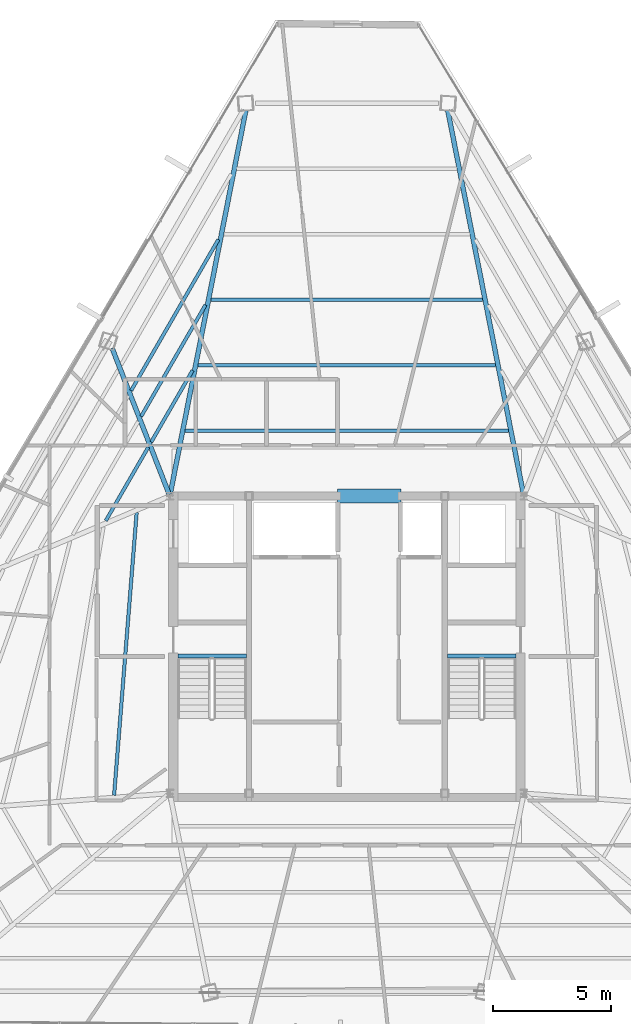
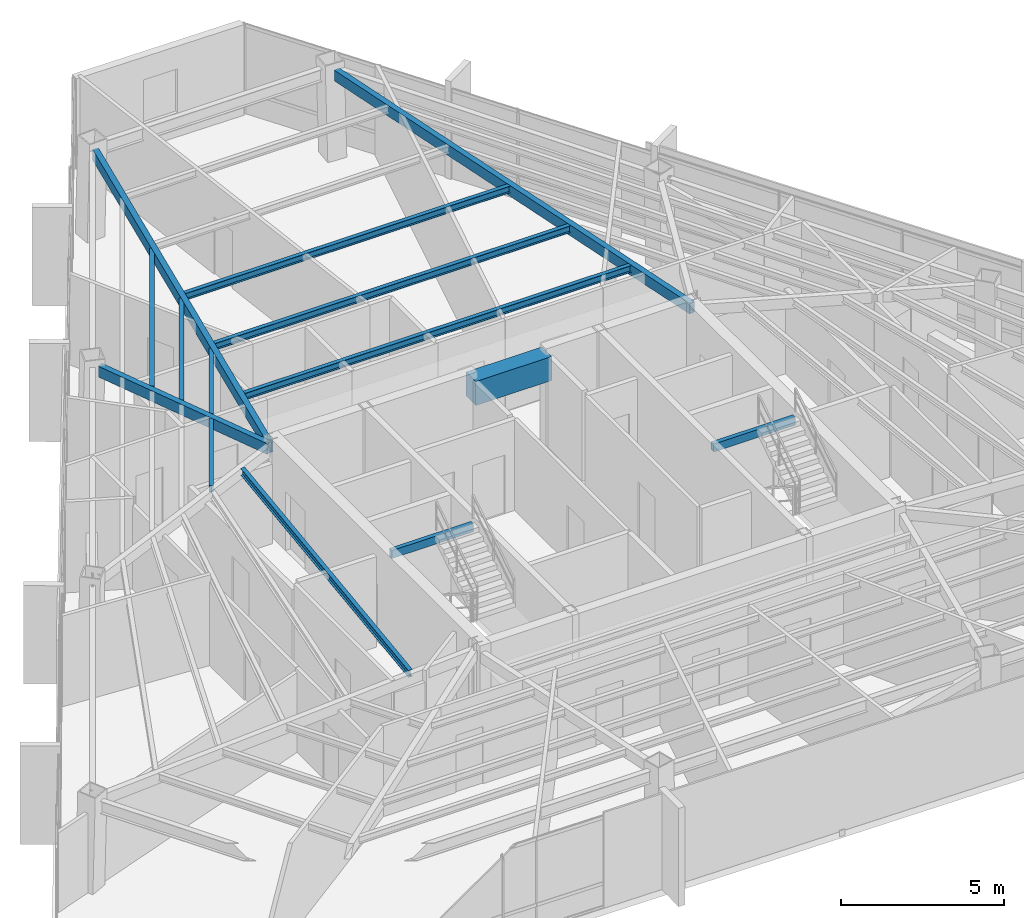
# One storey, part 20 of 46: 14 beams.
"""IFC4 building model written with IfcOpenShell, lengths in metres."""

from ifc_helpers import new_model, si_unit, direction, frame, origin, origin_2d, place, context, subcontext, project, spatial, rectangle, hollow_rectangle, i_section, extrude, source, transform, mapped, material, material_profile, profile_set, type_object, type_shapes, element, save


model = new_model("IFC4")

# Units and contexts
model_context = context("Model", 3, precision=1e-05, world=origin(), true_north=direction((0.0, 1.0)))
body_context = subcontext(model_context, "Body", "Model", "MODEL_VIEW")
ifc_project = project(units=[si_unit("LENGTHUNIT", "METRE"), si_unit("AREAUNIT", "SQUARE_METRE"), si_unit("VOLUMEUNIT", "CUBIC_METRE"), si_unit("PLANEANGLEUNIT", "RADIAN"), si_unit("MASSUNIT", "GRAM", prefix="KILO")], contexts=[model_context])

# Site, building, storey
site_placement = place(None, origin())
site = spatial("IfcSite", under=ifc_project, at=site_placement, CompositionType="ELEMENT")
building_placement = place(site_placement, origin())
building = spatial("IfcBuilding", under=site, at=building_placement, Name="Caelisora Broadcast Tower", CompositionType="ELEMENT")
storey_placement = place(building_placement, frame((0.0, 0.0, 237.14990234375)))
storey = spatial("IfcBuildingStorey", under=building, at=storey_placement, Name="L62", CompositionType="ELEMENT", Elevation=237.14990234375)

# Beams
ifc_material_1 = material(Name="Steel Grade 350 (AS/NZS 1163 C350L0)", Category="steel")
ifc_material_profile_1 = material_profile(ifc_material_1, hollow_rectangle(XDim=0.14990234375, YDim=0.300048828125, WallThickness=0.010009765625, at=origin_2d()), Name="Steel Grade 350 (AS/NZS 1163 C350L0)")
ifc_profile_set_1 = profile_set([ifc_material_profile_1], Name="Steel Grade 350 (AS/NZS 1163 C350L0)")
beam_type_1 = type_object("IfcBeamType", Name="SB05", PredefinedType="JOIST", material=ifc_profile_set_1)
shared_shape_1 = source(origin(), body_context, "Body", "SweptSolid", [
    extrude(hollow_rectangle(XDim=0.14990234375, YDim=0.300048828125, WallThickness=0.010009765625, at=origin_2d()), origin(), (0.0, 0.0, 1.0), 2.89990234375),
])
type_shapes(beam_type_1, [shared_shape_1])
for number, where, z_axis, x_axis, name in (
    (1, (30.840087890625, 23.219970703125, 3.25), (1.0, 0.0, 0.0), (0.0, 1.0, 0.0), "L62 beam SB05"),
    (2, (42.260009765625, 23.219970703125, 3.25), (1.0, 0.0, 0.0), (0.0, 1.0, 0.0), "L62 beam SB05"),
):
    element("IfcBeam", number, at=place(storey_placement, frame(where, z_axis=z_axis, x_axis=x_axis)), inside=storey, type_object=beam_type_1, Name=name, PredefinedType="JOIST", context=body_context, shape_type="MappedRepresentation", body=[
        mapped(shared_shape_1, transform((0.0, 0.0, 0.0), scale=1.0)),
    ])
ifc_material_2 = material(Name="Concrete 50 MPa (AS 3600 S50)", Category="concrete")
ifc_material_profile_2 = material_profile(ifc_material_2, rectangle(XDim=0.60009765625, YDim=0.89990234375, at=origin_2d()), Name="Concrete 50 MPa (AS 3600 S50)")
ifc_profile_set_2 = profile_set([ifc_material_profile_2], Name="Concrete 50 MPa (AS 3600 S50)")
beam_type_2 = type_object("IfcBeamType", Name="CB02", PredefinedType="LINTEL", material=ifc_profile_set_2)
shared_shape_2 = source(origin(), body_context, "Body", "SweptSolid", [
    extrude(rectangle(XDim=0.60009765625, YDim=0.89990234375, at=origin_2d()), origin(), (0.0, 0.0, 1.0), 2.699951171875),
])
type_shapes(beam_type_2, [shared_shape_2])
beam_1_placement = place(storey_placement, frame((37.60009765625, 30.0, 2.9501953125), z_axis=(1.0, 0.0, 0.0), x_axis=(0.0, 1.0, 0.0)))
element("IfcBeam", 3, at=beam_1_placement, inside=storey, type_object=beam_type_2, Name="L62 beam CB02", PredefinedType="LINTEL", context=body_context, shape_type="MappedRepresentation", body=[
    mapped(shared_shape_2, transform((0.0, 0.0, 0.0), scale=1.0)),
])
ifc_material_profile_3 = material_profile(ifc_material_1, hollow_rectangle(XDim=0.199951171875, YDim=0.39990234375, WallThickness=0.012451171875, at=origin_2d()), Name="Steel Grade 350 (AS/NZS 1163 C350L0)")
ifc_profile_set_3 = profile_set([ifc_material_profile_3], Name="Steel Grade 350 (AS/NZS 1163 C350L0)")
beam_type_3 = type_object("IfcBeamType", Name="PG07", PredefinedType="BEAM", material=ifc_profile_set_3)
shared_shape_3 = source(origin(), body_context, "Body", "SweptSolid", [
    extrude(hollow_rectangle(XDim=0.199951171875, YDim=0.39990234375, WallThickness=0.012451171875, at=origin_2d()), origin(), (0.0, 0.0, 1.0), 16.609375),
])
for number, where, z_axis, x_axis, name in (
    (4, (45.48828125, 30.058837890625, 3.2001953125), (-0.193393258631, 0.981121321507, 0.0), (-0.981121321507, -0.193393258631, 0.0), "L62 beam PG07"),
    (5, (30.51171875, 30.058837890625, 3.2001953125), (0.193393258631, 0.981121321507, 0.0), (-0.981121321507, 0.193393258631, 0.0), "L62 beam PG07"),
):
    element("IfcBeam", number, at=place(storey_placement, frame(where, z_axis=z_axis, x_axis=x_axis)), inside=storey, type_object=beam_type_3, Name=name, PredefinedType="BEAM", context=body_context, shape_type="MappedRepresentation", body=[
        mapped(shared_shape_3, transform((0.0, 0.0, 0.0), scale=1.0)),
    ])
shared_shape_4 = source(origin(), body_context, "Body", "SweptSolid", [
    extrude(hollow_rectangle(XDim=0.199951171875, YDim=0.39990234375, WallThickness=0.012451171875, at=origin_2d()), origin(), (0.0, 0.0, 1.0), 6.6640625),
])
type_shapes(beam_type_3, [shared_shape_3, shared_shape_4])
beam_2_placement = place(storey_placement, frame((30.478271484375, 30.055908203125, 3.2001953125), z_axis=(-0.363602194063, 0.931554316437, 0.0), x_axis=(-0.931554316437, -0.363602194063, 0.0)))
element("IfcBeam", 6, at=beam_2_placement, inside=storey, type_object=beam_type_3, Name="L62 beam PG07", PredefinedType="BEAM", context=body_context, shape_type="MappedRepresentation", body=[
    mapped(shared_shape_4, transform((0.0, 0.0, 0.0), scale=1.0)),
])
ifc_material_3 = material(Name="Steel Grade 350 (AS/NZS 3679.1)", Category="steel")
ifc_material_profile_4 = material_profile(ifc_material_3, i_section(OverallWidth=0.14599609375, OverallDepth=0.256103515625, WebThickness=0.00634765625, FlangeThickness=0.010986328125, at=origin_2d()), Name="Steel Grade 350 (AS/NZS 3679.1)")
ifc_profile_set_4 = profile_set([ifc_material_profile_4], Name="Steel Grade 350 (AS/NZS 3679.1)")
beam_type_4 = type_object("IfcBeamType", Name="SB04", PredefinedType="JOIST", material=ifc_profile_set_4)
shared_shape_5 = source(origin(), body_context, "Body", "SweptSolid", [
    extrude(i_section(OverallWidth=0.14599609375, OverallDepth=0.256103515625, WebThickness=0.00634765625, FlangeThickness=0.010986328125, at=origin_2d()), origin(), (0.0, 0.0, 1.0), 13.70849609375),
])
beam_3_placement = place(storey_placement, frame((44.854248046875, 32.7744140625, 3.27197265625), z_axis=(-1.0, 0.0, 0.0), x_axis=(0.0, -1.0, 0.0)))
element("IfcBeam", 7, at=beam_3_placement, inside=storey, type_object=beam_type_4, Name="L62 beam SB04", PredefinedType="JOIST", context=body_context, shape_type="MappedRepresentation", body=[
    mapped(shared_shape_5, transform((0.0, 0.0, 0.0), scale=1.0)),
])
shared_shape_6 = source(origin(), body_context, "Body", "SweptSolid", [
    extrude(i_section(OverallWidth=0.14599609375, OverallDepth=0.256103515625, WebThickness=0.00634765625, FlangeThickness=0.010986328125, at=origin_2d()), origin(), (0.0, 0.0, 1.0), 12.61474609375),
])
beam_4_placement = place(storey_placement, frame((44.307373046875, 35.549072265625, 3.27197265625), z_axis=(-1.0, 0.0, 0.0), x_axis=(0.0, -1.0, 0.0)))
element("IfcBeam", 8, at=beam_4_placement, inside=storey, type_object=beam_type_4, Name="L62 beam SB04", PredefinedType="JOIST", context=body_context, shape_type="MappedRepresentation", body=[
    mapped(shared_shape_6, transform((0.0, 0.0, 0.0), scale=1.0)),
])
shared_shape_7 = source(origin(), body_context, "Body", "SweptSolid", [
    extrude(i_section(OverallWidth=0.14599609375, OverallDepth=0.256103515625, WebThickness=0.00634765625, FlangeThickness=0.010986328125, at=origin_2d()), origin(), (0.0, 0.0, 1.0), 11.52099609375),
])
beam_5_placement = place(storey_placement, frame((43.760498046875, 38.323486328125, 3.27197265625), z_axis=(-1.0, 0.0, 0.0), x_axis=(0.0, -1.0, 0.0)))
element("IfcBeam", 9, at=beam_5_placement, inside=storey, type_object=beam_type_4, Name="L62 beam SB04", PredefinedType="JOIST", context=body_context, shape_type="MappedRepresentation", body=[
    mapped(shared_shape_7, transform((0.0, 0.0, 0.0), scale=1.0)),
])
shared_shape_8 = source(origin(), body_context, "Body", "SweptSolid", [
    extrude(i_section(OverallWidth=0.14599609375, OverallDepth=0.256103515625, WebThickness=0.00634765625, FlangeThickness=0.010986328125, at=origin_2d()), origin(), (0.0, 0.0, 1.0), 3.50439453125),
])
beam_6_placement = place(storey_placement, frame((31.463623046875, 35.32373046875, 3.27197265625), z_axis=(-0.499997847491, -0.866026646532, 0.0), x_axis=(0.866026646532, -0.499997847491, 0.0)))
element("IfcBeam", 10, at=beam_6_placement, inside=storey, type_object=beam_type_4, Name="L62 beam SB04", PredefinedType="JOIST", context=body_context, shape_type="MappedRepresentation", body=[
    mapped(shared_shape_8, transform((0.0, 0.0, 0.0), scale=1.0)),
])
shared_shape_9 = source(origin(), body_context, "Body", "SweptSolid", [
    extrude(i_section(OverallWidth=0.14599609375, OverallDepth=0.256103515625, WebThickness=0.00634765625, FlangeThickness=0.010986328125, at=origin_2d()), origin(), (0.0, 0.0, 1.0), 5.449462890625),
])
beam_7_placement = place(storey_placement, frame((32.010498046875, 38.098388671875, 3.27197265625), z_axis=(-0.499974528847, -0.866040109062, 0.0), x_axis=(0.866040109062, -0.499974528847, 0.0)))
element("IfcBeam", 11, at=beam_7_placement, inside=storey, type_object=beam_type_4, Name="L62 beam SB04", PredefinedType="JOIST", context=body_context, shape_type="MappedRepresentation", body=[
    mapped(shared_shape_9, transform((0.0, 0.0, 0.0), scale=1.0)),
])
shared_shape_10 = source(origin(), body_context, "Body", "SweptSolid", [
    extrude(i_section(OverallWidth=0.14599609375, OverallDepth=0.256103515625, WebThickness=0.00634765625, FlangeThickness=0.010986328125, at=origin_2d()), origin(), (0.0, 0.0, 1.0), 7.394287109375),
])
beam_8_placement = place(storey_placement, frame((32.5576171875, 40.872802734375, 3.27197265625), z_axis=(-0.50001683361, -0.866015684677, 0.0), x_axis=(0.866015684677, -0.50001683361, 0.0)))
element("IfcBeam", 12, at=beam_8_placement, inside=storey, type_object=beam_type_4, Name="L62 beam SB04", PredefinedType="JOIST", context=body_context, shape_type="MappedRepresentation", body=[
    mapped(shared_shape_10, transform((0.0, 0.0, 0.0), scale=1.0)),
])
shared_shape_11 = source(origin(), body_context, "Body", "SweptSolid", [
    extrude(i_section(OverallWidth=0.14599609375, OverallDepth=0.256103515625, WebThickness=0.00634765625, FlangeThickness=0.010986328125, at=origin_2d()), origin(), (0.0, 0.0, 1.0), 3.601318359375),
])
beam_9_placement = place(storey_placement, frame((29.58642578125, 32.072021484375, 3.27197265625), z_axis=(-0.500047166535, -0.86599817046, 0.0), x_axis=(0.86599817046, -0.500047166535, 0.0)))
element("IfcBeam", 13, at=beam_9_placement, inside=storey, type_object=beam_type_4, Name="L62 beam SB04", PredefinedType="JOIST", context=body_context, shape_type="MappedRepresentation", body=[
    mapped(shared_shape_11, transform((0.0, 0.0, 0.0), scale=1.0)),
])
shared_shape_12 = source(origin(), body_context, "Body", "SweptSolid", [
    extrude(i_section(OverallWidth=0.14599609375, OverallDepth=0.256103515625, WebThickness=0.00634765625, FlangeThickness=0.010986328125, at=origin_2d()), origin(), (0.0, 0.0, 1.0), 12.014892578125),
])
type_shapes(beam_type_4, [shared_shape_5, shared_shape_6, shared_shape_7, shared_shape_8, shared_shape_9, shared_shape_10, shared_shape_11, shared_shape_12])
beam_10_placement = place(storey_placement, frame((29.09326171875, 29.29638671875, 3.27197265625), z_axis=(-0.0795521984, -0.996830701639, 0.0), x_axis=(0.996830701639, -0.0795521984, 0.0)))
element("IfcBeam", 14, at=beam_10_placement, inside=storey, type_object=beam_type_4, Name="L62 beam SB04", PredefinedType="JOIST", context=body_context, shape_type="MappedRepresentation", body=[
    mapped(shared_shape_12, transform((0.0, 0.0, 0.0), scale=1.0)),
])

save(model, "model.ifc")
